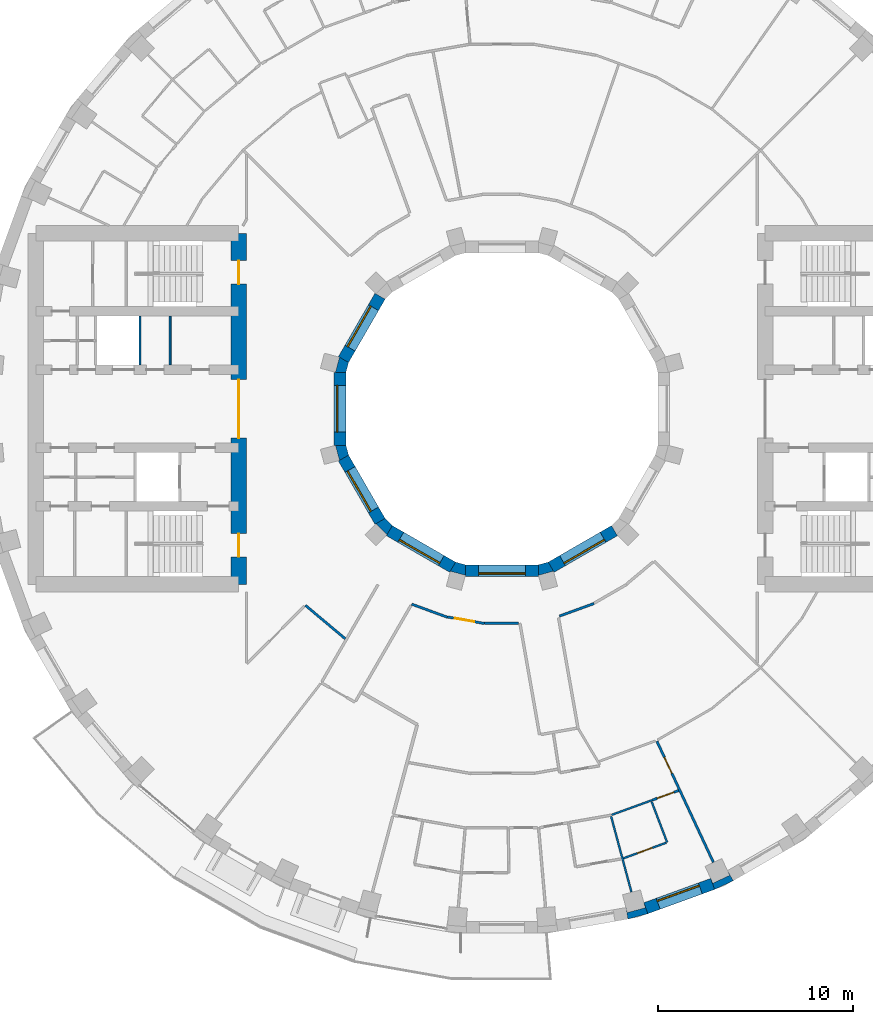
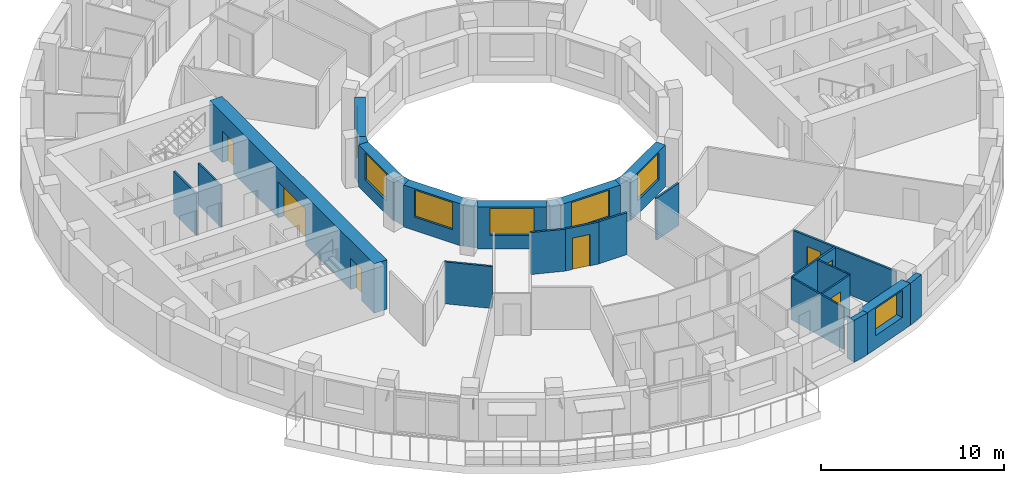
# One storey, part 6 of 14: 28 walls, 7 doors, 7 windows, 14 openings.
"""IFC4 building model written with IfcOpenShell, lengths in metres."""

from ifc_helpers import new_model, si_unit, direction, frame, frame_2d, origin, place, context, subcontext, project, spatial, polyline, rectangle, outline, extrude, material, layer, layer_set, type_object, element, fill, save


model = new_model("IFC4")

# Units and contexts
model_context = context("Model", 3, precision=1e-05, world=origin(), true_north=direction((0.0, 1.0)))
body_context = subcontext(model_context, "Body", "Model", "MODEL_VIEW")
ifc_project = project(units=[si_unit("LENGTHUNIT", "METRE"), si_unit("AREAUNIT", "SQUARE_METRE"), si_unit("VOLUMEUNIT", "CUBIC_METRE"), si_unit("PLANEANGLEUNIT", "RADIAN"), si_unit("MASSUNIT", "GRAM", prefix="KILO")], contexts=[model_context])

# Site, building, storey
site_placement = place(None, origin())
site = spatial("IfcSite", under=ifc_project, at=site_placement, CompositionType="ELEMENT")
building_placement = place(site_placement, origin())
building = spatial("IfcBuilding", under=site, at=building_placement, Name="Saqina Gate Tower", CompositionType="ELEMENT")
storey_placement = place(building_placement, frame((0.0, 0.0, 131.5)))
storey = spatial("IfcBuildingStorey", under=building, at=storey_placement, Name="L37", CompositionType="ELEMENT", Elevation=131.5)

# Walls
ifc_material_1 = material(Name="Brick masonry (buff)", Category="masonry")
wall_type_1 = type_object("IfcWallType", Name="BRICK PIER COPING BUFF", PredefinedType="SOLIDWALL", material=ifc_material_1)
wall_1_placement = place(storey_placement, origin())
element("IfcWall", 1, at=wall_1_placement, inside=storey, type_object=wall_type_1, Name="Pier cap L37 column 29", PredefinedType="SOLIDWALL", context=body_context, shape_type="SweptSolid", body=[
    extrude(outline(polyline([(6.466796875, -26.171875), (7.485595703125, -25.89892578125), (7.2802734375, -25.335205078125), (7.349853515625, -25.5947265625), (6.43212890625, -25.8408203125), (6.36279296875, -25.5810546875), (6.466796875, -26.171875)])), origin(), (0.0, 0.0, 1.0), 2.800048828125),
])
wall_2_placement = place(storey_placement, origin())
element("IfcWall", 2, at=wall_2_placement, inside=storey, type_object=wall_type_1, Name="Pier cap L37 column 30", PredefinedType="SOLIDWALL", context=body_context, shape_type="SweptSolid", body=[
    extrude(outline(polyline([(10.913330078125, -24.6513671875), (11.869140625, -24.205810546875), (11.569091796875, -23.68603515625), (11.6826171875, -23.9296875), (10.82177734375, -24.331298828125), (10.7080078125, -24.08740234375), (10.913330078125, -24.6513671875)])), origin(), (0.0, 0.0, 1.0), 2.800048828125),
])
ifc_material_2 = material(Name="Gypsum board on steel studs", Category="steel")
ifc_layer_1 = layer(ifc_material_2, 0.10009765625)
ifc_layer_set_1 = layer_set([ifc_layer_1], Name="CORE PARTITION")
wall_type_2 = type_object("IfcWallType", Name="CORE PARTITION", PredefinedType="PARTITIONING", material=ifc_layer_set_1)
wall_3_placement = place(storey_placement, frame((-17.022216796875, 2.25, 0.0), z_axis=(0.0, 0.0, 1.0), x_axis=(0.0, 1.0, 0.0)))
element("IfcWall", 3, at=wall_3_placement, inside=storey, type_object=wall_type_2, Name="L37-CP-W01", PredefinedType="PARTITIONING", context=body_context, shape_type="SweptSolid", body=[
    extrude(rectangle(XDim=2.5, YDim=0.10009765625, at=frame_2d((1.25, 0.0))), origin(), (0.0, 0.0, 1.0), 2.800048828125),
])

# Wall, opening, window
ifc_material_3 = material(Name="Brick masonry (buff)", Category="masonry")
ifc_layer_2 = layer(ifc_material_3, 0.60009765625)
ifc_layer_set_2 = layer_set([ifc_layer_2], Name="FW-BRICK-BUFF")
wall_type_3 = type_object("IfcWallType", Name="FW-BRICK-BUFF", PredefinedType="SOLIDWALL", material=ifc_layer_set_2)
wall_4_placement = place(storey_placement, frame((7.3828125, -25.616943359375, 0.0), z_axis=(0.0, 0.0, 1.0), x_axis=(0.939703505393, 0.341990236633, 0.0)))
wall_4 = element("IfcWall", 4, at=wall_4_placement, inside=storey, type_object=wall_type_3, Name="Facade wall L37 facet 29", PredefinedType="SOLIDWALL", context=body_context, shape_type="SweptSolid", body=[
    extrude(rectangle(XDim=3.64794921875, YDim=0.60009765625, at=frame_2d((1.823974609375, 0.0))), origin(), (0.0, 0.0, 1.0), 2.800048828125),
])
opening_1_placement = place(wall_4_placement, frame((0.673828125, 0.0, 0.89990234375)))
opening_1 = element("IfcOpeningElement", 5, at=opening_1_placement, cuts=wall_4, Name="Opening G11-W18", PredefinedType="OPENING", context=body_context, shape_type="SweptSolid", body=[
    extrude(rectangle(XDim=2.300048828125, YDim=1.800048828125, at=frame_2d((1.14990234375, 0.89990234375))), frame((0.0, 0.31201171875, 0.0), z_axis=(0.0, -1.0, 0.0), x_axis=(1.0, 0.0, 0.0)), (0.0, 0.0, 1.0), 0.6240234375),
])
ifc_material_4 = material(Name="Aluminium glazing", Category="aluminium")
window_type_1 = type_object("IfcWindowType", Name="WN-B", PartitioningType="SINGLE_PANEL", PredefinedType="WINDOW", material=ifc_material_4)
window_1_placement = place(opening_1_placement, origin())
window_1 = element("IfcWindow", 6, at=window_1_placement, inside=storey, type_object=window_type_1, Name="Window L37 facet 29", OverallHeight=1.800048828125, OverallWidth=2.300048828125, PartitioningType="SINGLE_PANEL", PredefinedType="WINDOW", context=body_context, shape_type="SweptSolid", body=[
    extrude(rectangle(XDim=2.300048828125, YDim=1.800048828125, at=frame_2d((1.14990234375, 0.89990234375))), frame((0.0, 0.179931640625, 0.0), z_axis=(0.0, -1.0, 0.0), x_axis=(1.0, 0.0, 0.0)), (0.0, 0.0, 1.0), 0.06005859375),
])
fill(opening_1, window_1)

ifc_material_5 = material(Name="Glazed ceramic tile", Category="ceramic")
ifc_layer_3 = layer(ifc_material_5, 0.60009765625)
ifc_layer_set_3 = layer_set([ifc_layer_3], Name="IW-TILE")
wall_type_4 = type_object("IfcWallType", Name="IW-TILE", PredefinedType="SOLIDWALL", material=ifc_layer_set_3)
wall_5_placement = place(storey_placement, frame((-6.251220703125, 5.772705078125, 0.0), z_axis=(0.0, 0.0, 1.0), x_axis=(-0.499964958637, -0.86604563398, 0.0)))
wall_5 = element("IfcWall", 7, at=wall_5_placement, inside=storey, type_object=wall_type_4, Name="Well wall L37 facet 5", PredefinedType="SOLIDWALL", context=body_context, shape_type="SweptSolid", body=[
    extrude(rectangle(XDim=3.747314453125, YDim=0.60009765625, at=frame_2d((1.87353515625, 0.0))), origin(), (0.0, 0.0, 1.0), 2.800048828125),
])
opening_2_placement = place(wall_5_placement, frame((0.673583984375, 0.0, 0.89990234375)))
opening_2 = element("IfcOpeningElement", 8, at=opening_2_placement, cuts=wall_5, Name="Opening G11-W27", PredefinedType="OPENING", context=body_context, shape_type="SweptSolid", body=[
    extrude(rectangle(XDim=2.39990234375, YDim=1.800048828125, at=frame_2d((1.199951171875, 0.89990234375))), frame((0.0, 0.31201171875, 0.0), z_axis=(0.0, -1.0, 0.0), x_axis=(1.0, 0.0, 0.0)), (0.0, 0.0, 1.0), 0.6240234375),
])
ifc_material_6 = material(Name="Aluminium glazing", Category="aluminium")
window_type_2 = type_object("IfcWindowType", Name="WN-W", PartitioningType="SINGLE_PANEL", PredefinedType="WINDOW", material=ifc_material_6)
window_2_placement = place(opening_2_placement, origin())
window_2 = element("IfcWindow", 9, at=window_2_placement, inside=storey, type_object=window_type_2, Name="Well window L37 facet 5", OverallHeight=1.800048828125, OverallWidth=2.39990234375, PartitioningType="SINGLE_PANEL", PredefinedType="WINDOW", context=body_context, shape_type="SweptSolid", body=[
    extrude(rectangle(XDim=2.39990234375, YDim=1.800048828125, at=frame_2d((1.199951171875, 0.89990234375))), frame((0.0, -0.119873046875, 0.0), z_axis=(0.0, -1.0, 0.0), x_axis=(1.0, 0.0, 0.0)), (0.0, 0.0, 1.0), 0.06005859375),
])
fill(opening_2, window_2)

wall_6_placement = place(storey_placement, frame((-8.300048828125, 1.873779296875, 0.0), z_axis=(0.0, 0.0, 1.0), x_axis=(0.0, -1.0, 0.0)))
wall_6 = element("IfcWall", 10, at=wall_6_placement, inside=storey, type_object=wall_type_4, Name="Well wall L37 facet 6", PredefinedType="SOLIDWALL", context=body_context, shape_type="SweptSolid", body=[
    extrude(rectangle(XDim=3.74755859375, YDim=0.60009765625, at=frame_2d((1.873779296875, 0.0))), origin(), (0.0, 0.0, 1.0), 2.800048828125),
])
opening_3_placement = place(wall_6_placement, frame((0.673583984375, 0.0, 0.89990234375)))
opening_3 = element("IfcOpeningElement", 11, at=opening_3_placement, cuts=wall_6, Name="Opening G11-W28", PredefinedType="OPENING", context=body_context, shape_type="SweptSolid", body=[
    extrude(rectangle(XDim=2.39990234375, YDim=1.800048828125, at=frame_2d((1.199951171875, 0.89990234375))), frame((0.0, 0.31201171875, 0.0), z_axis=(0.0, -1.0, 0.0), x_axis=(1.0, 0.0, 0.0)), (0.0, 0.0, 1.0), 0.6240234375),
])
window_3_placement = place(opening_3_placement, origin())
window_3 = element("IfcWindow", 12, at=window_3_placement, inside=storey, type_object=window_type_2, Name="Well window L37 facet 6", OverallHeight=1.800048828125, OverallWidth=2.39990234375, PartitioningType="SINGLE_PANEL", PredefinedType="WINDOW", context=body_context, shape_type="SweptSolid", body=[
    extrude(rectangle(XDim=2.39990234375, YDim=1.800048828125, at=frame_2d((1.199951171875, 0.89990234375))), frame((0.0, -0.119873046875, 0.0), z_axis=(0.0, -1.0, 0.0), x_axis=(1.0, 0.0, 0.0)), (0.0, 0.0, 1.0), 0.06005859375),
])
fill(opening_3, window_3)

wall_7_placement = place(storey_placement, frame((-8.124755859375, -2.52734375, 0.0), z_axis=(0.0, 0.0, 1.0), x_axis=(0.499964958637, -0.86604563398, 0.0)))
wall_7 = element("IfcWall", 13, at=wall_7_placement, inside=storey, type_object=wall_type_4, Name="Well wall L37 facet 7", PredefinedType="SOLIDWALL", context=body_context, shape_type="SweptSolid", body=[
    extrude(rectangle(XDim=3.747314453125, YDim=0.60009765625, at=frame_2d((1.87353515625, 0.0))), origin(), (0.0, 0.0, 1.0), 2.800048828125),
])
opening_4_placement = place(wall_7_placement, frame((0.673583984375, 0.0, 0.89990234375)))
opening_4 = element("IfcOpeningElement", 14, at=opening_4_placement, cuts=wall_7, Name="Opening G11-W29", PredefinedType="OPENING", context=body_context, shape_type="SweptSolid", body=[
    extrude(rectangle(XDim=2.39990234375, YDim=1.800048828125, at=frame_2d((1.199951171875, 0.89990234375))), frame((0.0, 0.31201171875, 0.0), z_axis=(0.0, -1.0, 0.0), x_axis=(1.0, 0.0, 0.0)), (0.0, 0.0, 1.0), 0.6240234375),
])
window_4_placement = place(opening_4_placement, origin())
window_4 = element("IfcWindow", 15, at=window_4_placement, inside=storey, type_object=window_type_2, Name="Well window L37 facet 7", OverallHeight=1.800048828125, OverallWidth=2.39990234375, PartitioningType="SINGLE_PANEL", PredefinedType="WINDOW", context=body_context, shape_type="SweptSolid", body=[
    extrude(rectangle(XDim=2.39990234375, YDim=1.800048828125, at=frame_2d((1.199951171875, 0.89990234375))), frame((0.0, -0.119873046875, 0.0), z_axis=(0.0, -1.0, 0.0), x_axis=(1.0, 0.0, 0.0)), (0.0, 0.0, 1.0), 0.06005859375),
])
fill(opening_4, window_4)

wall_8_placement = place(storey_placement, frame((-5.772705078125, -6.251220703125, 0.0), z_axis=(0.0, 0.0, 1.0), x_axis=(0.86604563398, -0.499964958637, 0.0)))
wall_8 = element("IfcWall", 16, at=wall_8_placement, inside=storey, type_object=wall_type_4, Name="Well wall L37 facet 8", PredefinedType="SOLIDWALL", context=body_context, shape_type="SweptSolid", body=[
    extrude(rectangle(XDim=3.747314453125, YDim=0.60009765625, at=frame_2d((1.87353515625, 0.0))), origin(), (0.0, 0.0, 1.0), 2.800048828125),
])
opening_5_placement = place(wall_8_placement, frame((0.673583984375, 0.0, 0.89990234375)))
opening_5 = element("IfcOpeningElement", 17, at=opening_5_placement, cuts=wall_8, Name="Opening G11-W30", PredefinedType="OPENING", context=body_context, shape_type="SweptSolid", body=[
    extrude(rectangle(XDim=2.39990234375, YDim=1.800048828125, at=frame_2d((1.199951171875, 0.89990234375))), frame((0.0, 0.31201171875, 0.0), z_axis=(0.0, -1.0, 0.0), x_axis=(1.0, 0.0, 0.0)), (0.0, 0.0, 1.0), 0.6240234375),
])
window_5_placement = place(opening_5_placement, origin())
window_5 = element("IfcWindow", 18, at=window_5_placement, inside=storey, type_object=window_type_2, Name="Well window L37 facet 8", OverallHeight=1.800048828125, OverallWidth=2.39990234375, PartitioningType="SINGLE_PANEL", PredefinedType="WINDOW", context=body_context, shape_type="SweptSolid", body=[
    extrude(rectangle(XDim=2.39990234375, YDim=1.800048828125, at=frame_2d((1.199951171875, 0.89990234375))), frame((0.0, -0.119873046875, 0.0), z_axis=(0.0, -1.0, 0.0), x_axis=(1.0, 0.0, 0.0)), (0.0, 0.0, 1.0), 0.06005859375),
])
fill(opening_5, window_5)

wall_9_placement = place(storey_placement, frame((-1.873779296875, -8.300048828125, 0.0), z_axis=(0.0, 0.0, 1.0), x_axis=(1.0, 0.0, 0.0)))
wall_9 = element("IfcWall", 19, at=wall_9_placement, inside=storey, type_object=wall_type_4, Name="Well wall L37 facet 9", PredefinedType="SOLIDWALL", context=body_context, shape_type="SweptSolid", body=[
    extrude(rectangle(XDim=3.74755859375, YDim=0.60009765625, at=frame_2d((1.873779296875, 0.0))), origin(), (0.0, 0.0, 1.0), 2.800048828125),
])
opening_6_placement = place(wall_9_placement, frame((0.673583984375, 0.0, 0.89990234375)))
opening_6 = element("IfcOpeningElement", 20, at=opening_6_placement, cuts=wall_9, Name="Opening G11-W31", PredefinedType="OPENING", context=body_context, shape_type="SweptSolid", body=[
    extrude(rectangle(XDim=2.39990234375, YDim=1.800048828125, at=frame_2d((1.199951171875, 0.89990234375))), frame((0.0, 0.31201171875, 0.0), z_axis=(0.0, -1.0, 0.0), x_axis=(1.0, 0.0, 0.0)), (0.0, 0.0, 1.0), 0.6240234375),
])
window_6_placement = place(opening_6_placement, origin())
window_6 = element("IfcWindow", 21, at=window_6_placement, inside=storey, type_object=window_type_2, Name="Well window L37 facet 9", OverallHeight=1.800048828125, OverallWidth=2.39990234375, PartitioningType="SINGLE_PANEL", PredefinedType="WINDOW", context=body_context, shape_type="SweptSolid", body=[
    extrude(rectangle(XDim=2.39990234375, YDim=1.800048828125, at=frame_2d((1.199951171875, 0.89990234375))), frame((0.0, -0.119873046875, 0.0), z_axis=(0.0, -1.0, 0.0), x_axis=(1.0, 0.0, 0.0)), (0.0, 0.0, 1.0), 0.06005859375),
])
fill(opening_6, window_6)

wall_10_placement = place(storey_placement, frame((2.52734375, -8.124755859375, 0.0), z_axis=(0.0, 0.0, 1.0), x_axis=(0.86604563398, 0.499964958637, 0.0)))
wall_10 = element("IfcWall", 22, at=wall_10_placement, inside=storey, type_object=wall_type_4, Name="Well wall L37 facet 10", PredefinedType="SOLIDWALL", context=body_context, shape_type="SweptSolid", body=[
    extrude(rectangle(XDim=3.747314453125, YDim=0.60009765625, at=frame_2d((1.87353515625, 0.0))), origin(), (0.0, 0.0, 1.0), 2.800048828125),
])
opening_7_placement = place(wall_10_placement, frame((0.673583984375, 0.0, 0.89990234375)))
opening_7 = element("IfcOpeningElement", 23, at=opening_7_placement, cuts=wall_10, Name="Opening G11-W32", PredefinedType="OPENING", context=body_context, shape_type="SweptSolid", body=[
    extrude(rectangle(XDim=2.39990234375, YDim=1.800048828125, at=frame_2d((1.199951171875, 0.89990234375))), frame((0.0, 0.31201171875, 0.0), z_axis=(0.0, -1.0, 0.0), x_axis=(1.0, 0.0, 0.0)), (0.0, 0.0, 1.0), 0.6240234375),
])
window_7_placement = place(opening_7_placement, origin())
window_7 = element("IfcWindow", 24, at=window_7_placement, inside=storey, type_object=window_type_2, Name="Well window L37 facet 10", OverallHeight=1.800048828125, OverallWidth=2.39990234375, PartitioningType="SINGLE_PANEL", PredefinedType="WINDOW", context=body_context, shape_type="SweptSolid", body=[
    extrude(rectangle(XDim=2.39990234375, YDim=1.800048828125, at=frame_2d((1.199951171875, 0.89990234375))), frame((0.0, -0.119873046875, 0.0), z_axis=(0.0, -1.0, 0.0), x_axis=(1.0, 0.0, 0.0)), (0.0, 0.0, 1.0), 0.06005859375),
])
fill(opening_7, window_7)

# Walls
ifc_material_7 = material(Name="Gypsum board on steel studs, 100 mm", Category="steel")
ifc_layer_4 = layer(ifc_material_7, 0.10009765625)
ifc_layer_set_4 = layer_set([ifc_layer_4], Name="PARTITION 100")
wall_type_5 = type_object("IfcWallType", Name="PARTITION 100", PredefinedType="PARTITIONING", material=ifc_layer_set_4)
wall_11_placement = place(storey_placement, frame((5.597900390625, -20.892333984375, 0.0), z_axis=(0.0, 0.0, 1.0), x_axis=(0.259224915088, -0.965816982351, 0.0)))
element("IfcWall", 25, at=wall_11_placement, inside=storey, type_object=wall_type_5, Name="PARTITION PW3-08", PredefinedType="PARTITIONING", context=body_context, shape_type="SweptSolid", body=[
    extrude(rectangle(XDim=4.03564453125, YDim=0.10009765625, at=frame_2d((2.017822265625, 0.0))), origin(), (0.0, 0.0, 1.0), 2.800048828125),
])
wall_12_placement = place(storey_placement, frame((7.679443359375, -20.14892578125, 0.0), z_axis=(0.0, 0.0, 1.0), x_axis=(0.356154183318, -0.934427202999, 0.0)))
element("IfcWall", 26, at=wall_12_placement, inside=storey, type_object=wall_type_5, Name="PARTITION PW3-12", PredefinedType="PARTITIONING", context=body_context, shape_type="SweptSolid", body=[
    extrude(rectangle(XDim=2.23681640625, YDim=0.10009765625, at=frame_2d((1.118408203125, 0.0))), origin(), (0.0, 0.0, 1.0), 2.800048828125),
])

# Wall, opening, door
wall_13_placement = place(storey_placement, frame((6.22998046875, -23.056884765625, 0.0), z_axis=(0.0, 0.0, 1.0), x_axis=(0.93963493474, 0.342178592866, 0.0)))
wall_13 = element("IfcWall", 27, at=wall_13_placement, inside=storey, type_object=wall_type_5, Name="PARTITION PW3-51", PredefinedType="PARTITIONING", context=body_context, shape_type="SweptSolid", body=[
    extrude(rectangle(XDim=2.34033203125, YDim=0.10009765625, at=frame_2d((1.170166015625, 0.0))), origin(), (0.0, 0.0, 1.0), 2.800048828125),
])
opening_8_placement = place(wall_13_placement, frame((0.770263671875, 0.0, 0.0)))
opening_8 = element("IfcOpeningElement", 28, at=opening_8_placement, cuts=wall_13, Name="Opening G11-D38", PredefinedType="OPENING", context=body_context, shape_type="SweptSolid", body=[
    extrude(rectangle(XDim=0.800048828125, YDim=2.10009765625, at=frame_2d((0.39990234375, 1.050048828125))), frame((0.0, 0.06201171875, 0.0), z_axis=(0.0, -1.0, 0.0), x_axis=(1.0, 0.0, 0.0)), (0.0, 0.0, 1.0), 0.1240234375),
])
ifc_material_8 = material(Name="Timber door leaf, 800 mm", Category="wood")
door_type_1 = type_object("IfcDoorType", Name="DOOR 800 TIMBER", OperationType="SINGLE_SWING_LEFT", PredefinedType="DOOR", material=ifc_material_8)
door_1_placement = place(opening_8_placement, frame((0.800048828125, 0.0, 0.0), z_axis=(0.0, 0.0, 1.0), x_axis=(-1.0, 0.0, 0.0)))
door_1 = element("IfcDoor", 29, at=door_1_placement, inside=storey, type_object=door_type_1, Name="DOOR G11-D38", OperationType="SINGLE_SWING_LEFT", OverallHeight=2.10009765625, OverallWidth=0.800048828125, PredefinedType="DOOR", context=body_context, shape_type="SweptSolid", body=[
    extrude(rectangle(XDim=0.800048828125, YDim=2.10009765625, at=frame_2d((0.39990234375, 1.050048828125))), frame((0.0, 0.02490234375, 0.0), z_axis=(0.0, -1.0, 0.0), x_axis=(1.0, 0.0, 0.0)), (0.0, 0.0, 1.0), 0.050048828125),
])
fill(opening_8, door_1)

# Wall
wall_14_placement = place(storey_placement, frame((5.633544921875, -20.826416015625, 0.0), z_axis=(0.0, 0.0, 1.0), x_axis=(0.939722230227, 0.341938781097, 0.0)))
element("IfcWall", 30, at=wall_14_placement, inside=storey, type_object=wall_type_5, Name="PARTITION PW3-52", PredefinedType="PARTITIONING", context=body_context, shape_type="SweptSolid", body=[
    extrude(rectangle(XDim=2.203369140625, YDim=0.10009765625, at=frame_2d((1.1015625, 0.0))), origin(), (0.0, 0.0, 1.0), 2.800048828125),
])

# Wall, opening, door
ifc_material_9 = material(Name="Gypsum board on steel studs, 125 mm, fire rated", Category="steel")
ifc_layer_5 = layer(ifc_material_9, 0.125)
ifc_layer_set_5 = layer_set([ifc_layer_5], Name="PARTITION EI 30 125")
wall_type_6 = type_object("IfcWallType", Name="PARTITION EI 30 125", PredefinedType="PARTITIONING", material=ifc_layer_set_5)
wall_15_placement = place(storey_placement, frame((7.953857421875, -17.057373046875, 0.0), z_axis=(0.0, 0.0, 1.0), x_axis=(0.422662835783, -0.906287000485, 0.0)))
wall_15 = element("IfcWall", 31, at=wall_15_placement, inside=storey, type_object=wall_type_6, Name="PARTITION PW1-05", PredefinedType="PARTITIONING", context=body_context, shape_type="SweptSolid", body=[
    extrude(rectangle(XDim=6.84423828125, YDim=0.125, at=frame_2d((3.422119140625, 0.0))), origin(), (0.0, 0.0, 1.0), 2.800048828125),
])
opening_9_placement = place(wall_15_placement, frame((0.905029296875, 0.0, 0.0)))
opening_9 = element("IfcOpeningElement", 32, at=opening_9_placement, cuts=wall_15, Name="Opening G11-D40", PredefinedType="OPENING", context=body_context, shape_type="SweptSolid", body=[
    extrude(rectangle(XDim=0.89990234375, YDim=2.10009765625, at=frame_2d((0.449951171875, 1.050048828125))), frame((0.0, 0.074462890625, 0.0), z_axis=(0.0, -1.0, 0.0), x_axis=(1.0, 0.0, 0.0)), (0.0, 0.0, 1.0), 0.14892578125),
])
ifc_material_10 = material(Name="Fire door leaf EI 30, 900 mm")
door_type_2 = type_object("IfcDoorType", Name="DOOR 900 EI 30", OperationType="SINGLE_SWING_LEFT", PredefinedType="DOOR", material=ifc_material_10)
door_2_placement = place(opening_9_placement, origin())
door_2 = element("IfcDoor", 33, at=door_2_placement, inside=storey, type_object=door_type_2, Name="DOOR G11-D40", OperationType="SINGLE_SWING_LEFT", OverallHeight=2.10009765625, OverallWidth=0.89990234375, PredefinedType="DOOR", context=body_context, shape_type="SweptSolid", body=[
    extrude(rectangle(XDim=0.89990234375, YDim=2.10009765625, at=frame_2d((0.449951171875, 1.050048828125))), frame((0.0, 0.02490234375, 0.0), z_axis=(0.0, -1.0, 0.0), x_axis=(1.0, 0.0, 0.0)), (0.0, 0.0, 1.0), 0.050048828125),
])
fill(opening_9, door_2)

# Walls
wall_16_placement = place(storey_placement, frame((-10.0791015625, -10.0791015625, 0.0), z_axis=(0.0, 0.0, 1.0), x_axis=(0.766028909875, -0.642806121031, 0.0)))
element("IfcWall", 34, at=wall_16_placement, inside=storey, type_object=wall_type_6, Name="PARTITION PW1-08", PredefinedType="PARTITIONING", context=body_context, shape_type="SweptSolid", body=[
    extrude(rectangle(XDim=2.6708984375, YDim=0.125, at=frame_2d((1.33544921875, 0.0))), origin(), (0.0, 0.0, 1.0), 2.800048828125),
])
wall_17_placement = place(storey_placement, frame((-4.631103515625, -10.02001953125, 0.0), z_axis=(0.0, 0.0, 1.0), x_axis=(0.939584951486, -0.342315817545, 0.0)))
element("IfcWall", 35, at=wall_17_placement, inside=storey, type_object=wall_type_6, Name="PARTITION PW1-13", PredefinedType="PARTITIONING", context=body_context, shape_type="SweptSolid", body=[
    extrude(rectangle(XDim=1.95068359375, YDim=0.125, at=frame_2d((0.975341796875, 0.0))), origin(), (0.0, 0.0, 1.0), 2.800048828125),
])

# Wall, opening, door
wall_18_placement = place(storey_placement, frame((-2.79638671875, -10.6767578125, 0.0), z_axis=(0.0, 0.0, 1.0), x_axis=(0.984830733923, -0.173517795977, 0.0)))
wall_18 = element("IfcWall", 36, at=wall_18_placement, inside=storey, type_object=wall_type_6, Name="PARTITION PW1-16", PredefinedType="PARTITIONING", context=body_context, shape_type="SweptSolid", body=[
    extrude(rectangle(XDim=1.92626953125, YDim=0.125, at=frame_2d((0.963134765625, 0.0))), origin(), (0.0, 0.0, 1.0), 2.800048828125),
])
opening_10_placement = place(wall_18_placement, frame((0.400146484375, 0.0, 0.0)))
opening_10 = element("IfcOpeningElement", 37, at=opening_10_placement, cuts=wall_18, Name="Opening G11-D30", PredefinedType="OPENING", context=body_context, shape_type="SweptSolid", body=[
    extrude(rectangle(XDim=1.0, YDim=2.10009765625, at=frame_2d((0.5, 1.050048828125))), frame((0.0, 0.074462890625, 0.0), z_axis=(0.0, -1.0, 0.0), x_axis=(1.0, 0.0, 0.0)), (0.0, 0.0, 1.0), 0.14892578125),
])
ifc_material_11 = material(Name="Fire door leaf EI 30, 1000 mm")
door_type_3 = type_object("IfcDoorType", Name="DOOR 1000 EI 30", OperationType="SINGLE_SWING_LEFT", PredefinedType="DOOR", material=ifc_material_11)
door_3_placement = place(opening_10_placement, frame((1.0, 0.0, 0.0), z_axis=(0.0, 0.0, 1.0), x_axis=(-1.0, 0.0, 0.0)))
door_3 = element("IfcDoor", 38, at=door_3_placement, inside=storey, type_object=door_type_3, Name="DOOR G11-D30", OperationType="SINGLE_SWING_RIGHT", OverallHeight=2.10009765625, OverallWidth=1.0, PredefinedType="DOOR", context=body_context, shape_type="SweptSolid", body=[
    extrude(rectangle(XDim=1.0, YDim=2.10009765625, at=frame_2d((0.5, 1.050048828125))), frame((0.0, 0.02490234375, 0.0), z_axis=(0.0, -1.0, 0.0), x_axis=(1.0, 0.0, 0.0)), (0.0, 0.0, 1.0), 0.050048828125),
])
fill(opening_10, door_3)

# Wall
wall_19_placement = place(storey_placement, frame((-0.8994140625, -11.0, 0.0), z_axis=(0.0, 0.0, 1.0), x_axis=(1.0, 0.0, 0.0)))
element("IfcWall", 39, at=wall_19_placement, inside=storey, type_object=wall_type_6, Name="PARTITION PW1-20", PredefinedType="PARTITIONING", context=body_context, shape_type="SweptSolid", body=[
    extrude(rectangle(XDim=1.760986328125, YDim=0.125, at=frame_2d((0.88037109375, 0.0))), origin(), (0.0, 0.0, 1.0), 2.800048828125),
])

# Wall, opening, door
wall_20_placement = place(storey_placement, frame((7.7041015625, -20.072998046875, 0.0), z_axis=(0.0, 0.0, 1.0), x_axis=(0.939798360304, 0.341729486537, 0.0)))
wall_20 = element("IfcWall", 40, at=wall_20_placement, inside=storey, type_object=wall_type_6, Name="PARTITION PW1-27", PredefinedType="PARTITIONING", context=body_context, shape_type="SweptSolid", body=[
    extrude(rectangle(XDim=1.44384765625, YDim=0.125, at=frame_2d((0.721923828125, 0.0))), origin(), (0.0, 0.0, 1.0), 2.800048828125),
])
opening_11_placement = place(wall_20_placement, frame((0.2783203125, 0.0, 0.0)))
opening_11 = element("IfcOpeningElement", 41, at=opening_11_placement, cuts=wall_20, Name="Opening G11-D39", PredefinedType="OPENING", context=body_context, shape_type="SweptSolid", body=[
    extrude(rectangle(XDim=0.89990234375, YDim=2.10009765625, at=frame_2d((0.449951171875, 1.050048828125))), frame((0.0, 0.074462890625, 0.0), z_axis=(0.0, -1.0, 0.0), x_axis=(1.0, 0.0, 0.0)), (0.0, 0.0, 1.0), 0.14892578125),
])
door_4_placement = place(opening_11_placement, origin())
door_4 = element("IfcDoor", 42, at=door_4_placement, inside=storey, type_object=door_type_2, Name="DOOR G11-D39", OperationType="SINGLE_SWING_RIGHT", OverallHeight=2.10009765625, OverallWidth=0.89990234375, PredefinedType="DOOR", context=body_context, shape_type="SweptSolid", body=[
    extrude(rectangle(XDim=0.89990234375, YDim=2.10009765625, at=frame_2d((0.449951171875, 1.050048828125))), frame((0.0, 0.02490234375, 0.0), z_axis=(0.0, -1.0, 0.0), x_axis=(1.0, 0.0, 0.0)), (0.0, 0.0, 1.0), 0.050048828125),
])
fill(opening_11, door_4)

# Walls
wall_21_placement = place(storey_placement, frame((2.950927734375, -10.632080078125, 0.0), z_axis=(0.0, 0.0, 1.0), x_axis=(0.939616011167, 0.342230553222, 0.0)))
element("IfcWall", 43, at=wall_21_placement, inside=storey, type_object=wall_type_6, Name="PARTITION PW1-28", PredefinedType="PARTITIONING", context=body_context, shape_type="SweptSolid", body=[
    extrude(rectangle(XDim=1.8896484375, YDim=0.125, at=frame_2d((0.94482421875, 0.0))), origin(), (0.0, 0.0, 1.0), 2.800048828125),
])
ifc_material_12 = material(Name="Autoclaved aerated concrete block", Category="concrete")
ifc_layer_6 = layer(ifc_material_12, 0.1201171875)
ifc_layer_set_6 = layer_set([ifc_layer_6], Name="SHAFT PARTITION")
wall_type_7 = type_object("IfcWallType", Name="SHAFT PARTITION", PredefinedType="PARTITIONING", material=ifc_layer_set_6)
wall_22_placement = place(storey_placement, frame((-18.56005859375, 2.25, 0.0), z_axis=(0.0, 0.0, 1.0), x_axis=(0.0, 1.0, 0.0)))
element("IfcWall", 44, at=wall_22_placement, inside=storey, type_object=wall_type_7, Name="L37-CP-W02", PredefinedType="PARTITIONING", context=body_context, shape_type="SweptSolid", body=[
    extrude(rectangle(XDim=2.5, YDim=0.1201171875, at=frame_2d((1.25, 0.0))), origin(), (0.0, 0.0, 1.0), 2.800048828125),
])

# Wall, openings, doors
ifc_material_13 = material(Name="Concrete C70/85", Category="concrete")
ifc_layer_7 = layer(ifc_material_13, 0.800048828125)
ifc_layer_set_7 = layer_set([ifc_layer_7], Name="Concrete C70/85")
wall_type_8 = type_object("IfcWallType", Name="STR-CORE WALL-B-O", PredefinedType="SHEAR", material=ifc_layer_set_7)
wall_23_placement = place(storey_placement, frame((-13.5, -9.0, 0.0), z_axis=(0.0, 0.0, 1.0), x_axis=(0.0, 1.0, 0.0)))
wall_23 = element("IfcWall", 45, at=wall_23_placement, inside=storey, type_object=wall_type_8, Name="CORE WALL L37 W-W1", PredefinedType="SHEAR", context=body_context, shape_type="SweptSolid", body=[
    extrude(rectangle(XDim=18.0, YDim=0.800048828125, at=frame_2d((9.0, 0.0))), origin(), (0.0, 0.0, 1.0), 3.300048828125),
])
opening_12_placement = place(wall_23_placement, frame((15.39990234375, 0.0, 0.0)))
opening_12 = element("IfcOpeningElement", 46, at=opening_12_placement, cuts=wall_23, Name="Opening G11-D125", PredefinedType="OPENING", context=body_context, shape_type="SweptSolid", body=[
    extrude(rectangle(XDim=1.199951171875, YDim=2.10009765625, at=frame_2d((0.60009765625, 1.050048828125))), frame((0.0, 0.412109375, 0.0), z_axis=(0.0, -1.0, 0.0), x_axis=(1.0, 0.0, 0.0)), (0.0, 0.0, 1.0), 0.823974609375),
])
opening_13_placement = place(wall_23_placement, frame((1.39990234375, 0.0, 0.0)))
opening_13 = element("IfcOpeningElement", 47, at=opening_13_placement, cuts=wall_23, Name="Opening G11-D126", PredefinedType="OPENING", context=body_context, shape_type="SweptSolid", body=[
    extrude(rectangle(XDim=1.199951171875, YDim=2.10009765625, at=frame_2d((0.60009765625, 1.050048828125))), frame((0.0, 0.412109375, 0.0), z_axis=(0.0, -1.0, 0.0), x_axis=(1.0, 0.0, 0.0)), (0.0, 0.0, 1.0), 0.823974609375),
])
opening_14_placement = place(wall_23_placement, frame((7.5, 0.0, 0.0)))
opening_14 = element("IfcOpeningElement", 48, at=opening_14_placement, cuts=wall_23, Name="Opening G11-D127", PredefinedType="OPENING", context=body_context, shape_type="SweptSolid", body=[
    extrude(rectangle(XDim=3.0, YDim=2.39990234375, at=frame_2d((1.5, 1.199951171875))), frame((0.0, 0.412109375, 0.0), z_axis=(0.0, -1.0, 0.0), x_axis=(1.0, 0.0, 0.0)), (0.0, 0.0, 1.0), 0.823974609375),
])
ifc_material_14 = material(Name="Steel", Category="steel")
door_type_4 = type_object("IfcDoorType", Name="FIRE DOOR EI 60", OperationType="SINGLE_SWING_LEFT", PredefinedType="DOOR", material=ifc_material_14)
door_5_placement = place(opening_12_placement, origin())
door_5 = element("IfcDoor", 49, at=door_5_placement, inside=storey, type_object=door_type_4, Name="L37-CD-W36", OperationType="SINGLE_SWING_RIGHT", OverallHeight=2.10009765625, OverallWidth=1.199951171875, PredefinedType="DOOR", context=body_context, shape_type="SweptSolid", body=[
    extrude(rectangle(XDim=1.199951171875, YDim=2.10009765625, at=frame_2d((0.60009765625, 1.050048828125))), frame((0.0, 0.02490234375, 0.0), z_axis=(0.0, -1.0, 0.0), x_axis=(1.0, 0.0, 0.0)), (0.0, 0.0, 1.0), 0.050048828125),
])
fill(opening_12, door_5)
door_6_placement = place(opening_13_placement, origin())
door_6 = element("IfcDoor", 50, at=door_6_placement, inside=storey, type_object=door_type_4, Name="L37-CD-W37", OperationType="SINGLE_SWING_LEFT", OverallHeight=2.10009765625, OverallWidth=1.199951171875, PredefinedType="DOOR", context=body_context, shape_type="SweptSolid", body=[
    extrude(rectangle(XDim=1.199951171875, YDim=2.10009765625, at=frame_2d((0.60009765625, 1.050048828125))), frame((0.0, 0.02490234375, 0.0), z_axis=(0.0, -1.0, 0.0), x_axis=(1.0, 0.0, 0.0)), (0.0, 0.0, 1.0), 0.050048828125),
])
fill(opening_13, door_6)
ifc_material_15 = material(Name="Steel and fire-resisting glass", Category="steel")
door_type_5 = type_object("IfcDoorType", Name="LOBBY SCREEN DOOR", OperationType="DOUBLE_DOOR_SLIDING", PredefinedType="DOOR", material=ifc_material_15)
door_7_placement = place(opening_14_placement, origin())
door_7 = element("IfcDoor", 51, at=door_7_placement, inside=storey, type_object=door_type_5, Name="L37-CD-W38", OperationType="DOUBLE_DOOR_SLIDING", OverallHeight=2.39990234375, OverallWidth=3.0, PredefinedType="DOOR", context=body_context, shape_type="SweptSolid", body=[
    extrude(rectangle(XDim=3.0, YDim=2.39990234375, at=frame_2d((1.5, 1.199951171875))), frame((0.0, 0.02490234375, 0.0), z_axis=(0.0, -1.0, 0.0), x_axis=(1.0, 0.0, 0.0)), (0.0, 0.0, 1.0), 0.050048828125),
])
fill(opening_14, door_7)

# Walls
ifc_material_16 = material(Name="Glazed ceramic tile", Category="ceramic")
wall_type_9 = type_object("IfcWallType", Name="TILE PIER COPING", PredefinedType="SOLIDWALL", material=ifc_material_16)
wall_24_placement = place(storey_placement, origin())
element("IfcWall", 52, at=wall_24_placement, inside=storey, type_object=wall_type_9, Name="Well pier cap L37 column 6", PredefinedType="SOLIDWALL", context=body_context, shape_type="SweptSolid", body=[
    extrude(outline(polyline([(-8.5380859375, 1.873779296875), (-8.0, 1.873779296875), (-7.864990234375, 2.377197265625), (-8.3310546875, 2.646484375), (-8.5380859375, 1.873779296875)])), origin(), (0.0, 0.0, 1.0), 2.800048828125),
])
wall_25_placement = place(storey_placement, origin())
element("IfcWall", 53, at=wall_25_placement, inside=storey, type_object=wall_type_9, Name="Well pier cap L37 column 7", PredefinedType="SOLIDWALL", context=body_context, shape_type="SweptSolid", body=[
    extrude(outline(polyline([(-8.3310546875, -2.646484375), (-7.864990234375, -2.377197265625), (-8.0, -1.873779296875), (-8.5380859375, -1.873779296875), (-8.3310546875, -2.646484375)])), origin(), (0.0, 0.0, 1.0), 2.800048828125),
])
wall_26_placement = place(storey_placement, origin())
element("IfcWall", 54, at=wall_26_placement, inside=storey, type_object=wall_type_9, Name="Well pier cap L37 column 8", PredefinedType="SOLIDWALL", context=body_context, shape_type="SweptSolid", body=[
    extrude(outline(polyline([(-6.45751953125, -5.891845703125), (-5.891845703125, -6.45751953125), (-5.622802734375, -5.991455078125), (-5.991455078125, -5.622802734375), (-6.45751953125, -5.891845703125)])), origin(), (0.0, 0.0, 1.0), 2.800048828125),
])
wall_27_placement = place(storey_placement, origin())
element("IfcWall", 55, at=wall_27_placement, inside=storey, type_object=wall_type_9, Name="Well pier cap L37 column 9", PredefinedType="SOLIDWALL", context=body_context, shape_type="SweptSolid", body=[
    extrude(outline(polyline([(-1.873779296875, -8.5380859375), (-1.873779296875, -8.0), (-2.377197265625, -7.864990234375), (-2.646484375, -8.3310546875), (-1.873779296875, -8.5380859375)])), origin(), (0.0, 0.0, 1.0), 2.800048828125),
])
wall_28_placement = place(storey_placement, origin())
element("IfcWall", 56, at=wall_28_placement, inside=storey, type_object=wall_type_9, Name="Well pier cap L37 column 10", PredefinedType="SOLIDWALL", context=body_context, shape_type="SweptSolid", body=[
    extrude(outline(polyline([(2.646484375, -8.3310546875), (2.377197265625, -7.864990234375), (1.873779296875, -8.0), (1.873779296875, -8.5380859375), (2.646484375, -8.3310546875)])), origin(), (0.0, 0.0, 1.0), 2.800048828125),
])

save(model, "model.ifc")
